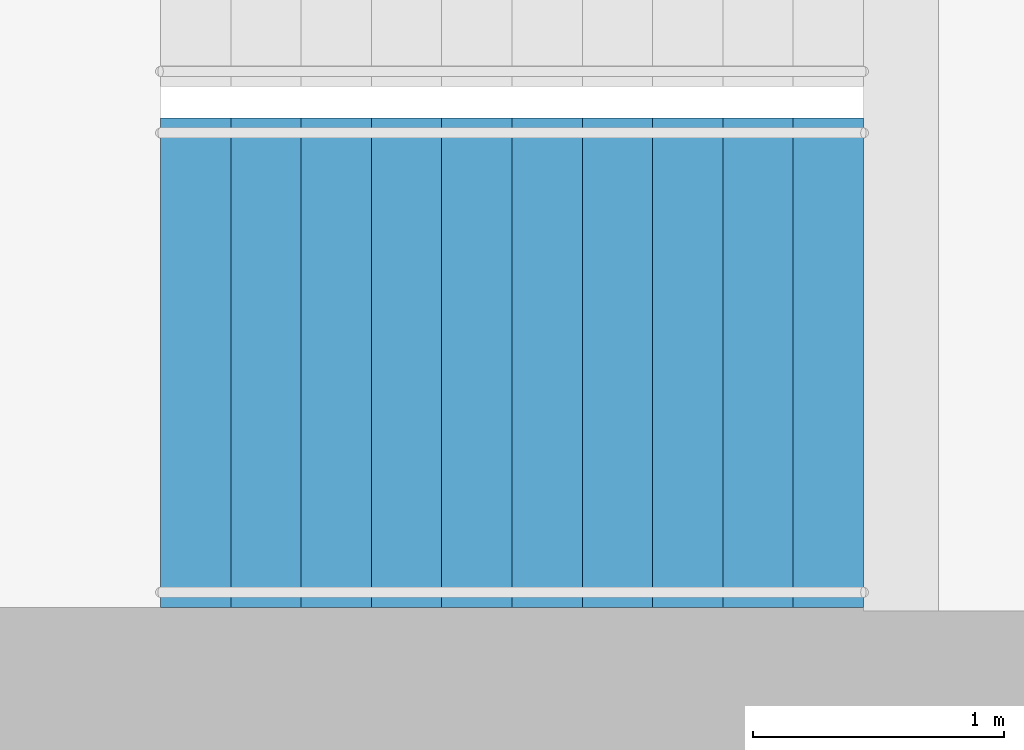
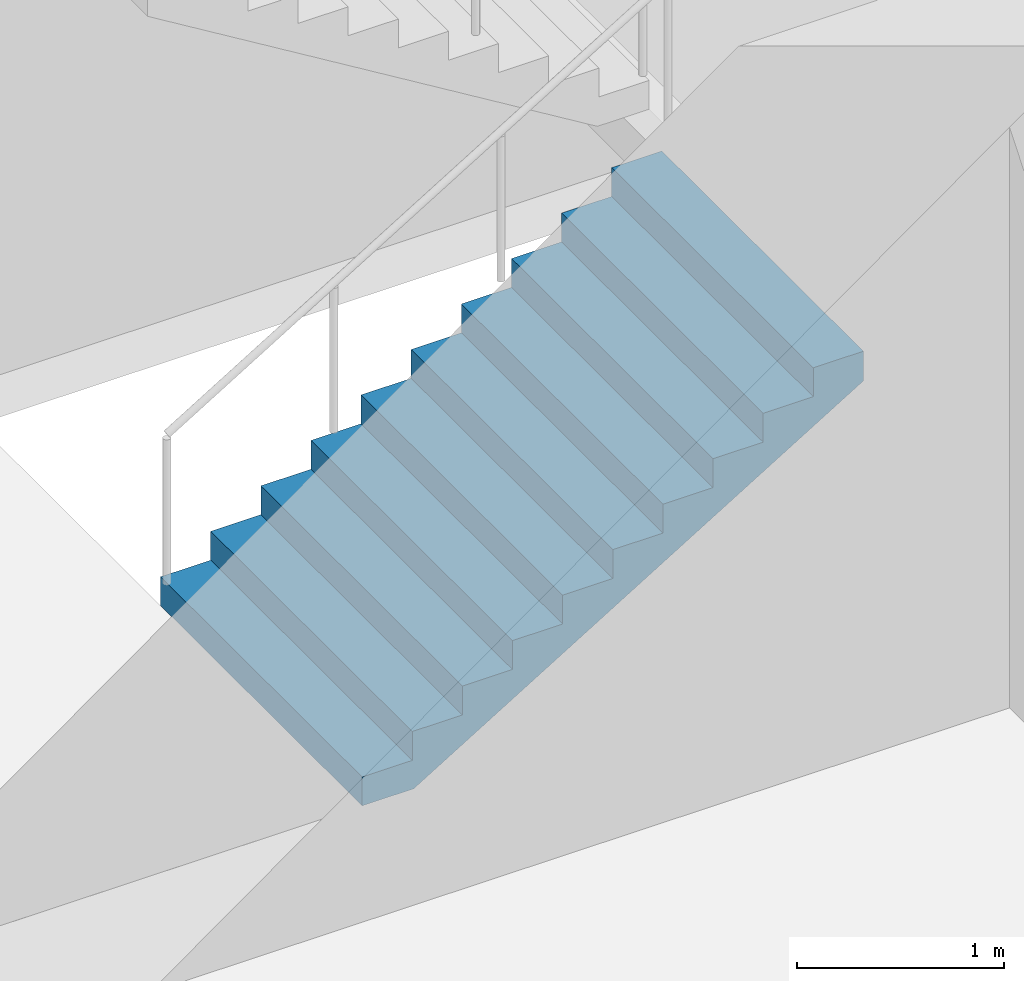
# One storey, part 18 of 22: 1 stair flight, 1 element without a shape of its own.
"""IFC4 building model written with IfcOpenShell, lengths in metres."""

from ifc_helpers import new_model, si_unit, direction, frame, origin, place, context, subcontext, project, spatial, triangles, material, type_object, element, aggregate, save


model = new_model("IFC4")

# Units and contexts
model_context = context("Model", 3, precision=1e-05, world=origin(), true_north=direction((0.0, 1.0)))
body_context = subcontext(model_context, "Body", "Model", "MODEL_VIEW")
ifc_project = project(units=[si_unit("LENGTHUNIT", "METRE"), si_unit("AREAUNIT", "SQUARE_METRE"), si_unit("VOLUMEUNIT", "CUBIC_METRE"), si_unit("PLANEANGLEUNIT", "RADIAN"), si_unit("MASSUNIT", "GRAM", prefix="KILO")], contexts=[model_context])

# Site, building, storey
site_placement = place(None, origin())
site = spatial("IfcSite", under=ifc_project, at=site_placement, CompositionType="ELEMENT")
building_placement = place(site_placement, origin())
building = spatial("IfcBuilding", under=site, at=building_placement, Name="Orbita Commons", CompositionType="ELEMENT")
storey_placement = place(building_placement, frame((0.0, 0.0, 152.35009765625)))
storey = spatial("IfcBuildingStorey", under=building, at=storey_placement, Name="L37", CompositionType="ELEMENT", Elevation=152.35009765625)

# Stair, stair flight
ifc_material_1 = material(Name="Precast concrete C40/50", Category="concrete")
stair_type = type_object("IfcStairType", Name="Exit stair S1 2 flights 11 risers 170", PredefinedType="HALF_TURN_STAIR", material=ifc_material_1)
stair_placement = place(storey_placement, origin())
stair = element("IfcStair", 1, at=stair_placement, inside=storey, type_object=stair_type, Name="Exit stair S1 L37", PredefinedType="HALF_TURN_STAIR")
ifc_material_2 = material(Name="Precast concrete C40/50", Category="concrete")
stair_flight_type = type_object("IfcStairFlightType", Name="Stair flight 11 risers 170 x 280", PredefinedType="STRAIGHT", material=ifc_material_2)
stair_flight_placement = place(storey_placement, frame((20.449951171875, 27.199951171875, 0.0), z_axis=(0.0, 0.0, 1.0), x_axis=(1.0, 0.0, 0.0)))
stair_flight = element("IfcStairFlight", 2, at=stair_flight_placement, type_object=stair_flight_type, Name="S1 flight 1", NumberOfRisers=11, NumberOfTreads=10, PredefinedType="STRAIGHT", RiserHeight=0.170454545, TreadLength=0.28, context=body_context, shape_type="Tessellation", body=[
    triangles([(0.0, 0.974976, 0.0), (0.0, 0.974976, 0.021307), (0.0, 0.81248, 0.021307), (0.0, 0.81248, 0.0), (0.0, 0.649984, 0.021307), (0.0, 0.649984, 0.0), (0.0, 0.487488, 0.021307), (0.0, 0.487488, 0.0), (0.0, 0.324992, 0.021307), (0.0, 0.324992, 0.0), (0.0, 0.162496, 0.021307), (0.0, 0.162496, 0.0), (0.0, 0.0, 0.021307), (0.0, 0.0, 0.0), (0.0, -0.162496, 0.021307), (0.0, -0.162496, 0.0), (0.0, -0.324992, 0.021307), (0.0, -0.324992, 0.0), (0.0, -0.487488, 0.021307), (0.0, -0.487488, 0.0), (0.0, -0.649984, 0.021307), (0.0, -0.649984, 0.0), (0.0, -0.81248, 0.021307), (0.0, -0.81248, 0.0), (0.0, -0.974976, 0.021307), (0.0, -0.974976, 0.0), (0.0, 0.974976, 0.042614), (0.0, 0.81248, 0.042614), (0.0, 0.649984, 0.042614), (0.0, 0.487488, 0.042614), (0.0, 0.324992, 0.042614), (0.0, 0.162496, 0.042614), (0.0, 0.0, 0.042614), (0.0, -0.162496, 0.042614), (0.0, -0.324992, 0.042614), (0.0, -0.487488, 0.042614), (0.0, -0.649984, 0.042614), (0.0, -0.81248, 0.042614), (0.0, -0.974976, 0.042614), (0.0, 0.974976, 0.06392), (0.0, 0.81248, 0.06392), (0.0, 0.649984, 0.06392), (0.0, 0.487488, 0.06392), (0.0, 0.324992, 0.06392), (0.0, 0.162496, 0.06392), (0.0, 0.0, 0.06392), (0.0, -0.162496, 0.06392), (0.0, -0.324992, 0.06392), (0.0, -0.487488, 0.06392), (0.0, -0.649984, 0.06392), (0.0, -0.81248, 0.06392), (0.0, -0.974976, 0.06392), (0.0, 0.974976, 0.085227), (0.0, 0.81248, 0.085227), (0.0, 0.649984, 0.085227), (0.0, 0.487488, 0.085227), (0.0, 0.324992, 0.085227), (0.0, 0.162496, 0.085227), (0.0, 0.0, 0.085227), (0.0, -0.162496, 0.085227), (0.0, -0.324992, 0.085227), (0.0, -0.487488, 0.085227), (0.0, -0.649984, 0.085227), (0.0, -0.81248, 0.085227), (0.0, -0.974976, 0.085227), (0.0, 0.974976, 0.106534), (0.0, 0.81248, 0.106534), (0.0, 0.649984, 0.106534), (0.0, 0.487488, 0.106534), (0.0, 0.324992, 0.106534), (0.0, 0.162496, 0.106534), (0.0, 0.0, 0.106534), (0.0, -0.162496, 0.106534), (0.0, -0.324992, 0.106534), (0.0, -0.487488, 0.106534), (0.0, -0.649984, 0.106534), (0.0, -0.81248, 0.106534), (0.0, -0.974976, 0.106534), (0.0, 0.974976, 0.127841), (0.0, 0.81248, 0.127841), (0.0, 0.649984, 0.127841), (0.0, 0.487488, 0.127841), (0.0, 0.324992, 0.127841), (0.0, 0.162496, 0.127841), (0.0, 0.0, 0.127841), (0.0, -0.162496, 0.127841), (0.0, -0.324992, 0.127841), (0.0, -0.487488, 0.127841), (0.0, -0.649984, 0.127841), (0.0, -0.81248, 0.127841), (0.0, -0.974976, 0.127841), (0.0, 0.974976, 0.149148), (0.0, 0.81248, 0.149148), (0.0, 0.649984, 0.149148), (0.0, 0.487488, 0.149148), (0.0, 0.324992, 0.149148), (0.0, 0.162496, 0.149148), (0.0, 0.0, 0.149148), (0.0, -0.162496, 0.149148), (0.0, -0.324992, 0.149148), (0.0, -0.487488, 0.149148), (0.0, -0.649984, 0.149148), (0.0, -0.81248, 0.149148), (0.0, -0.974976, 0.149148), (0.0, 0.974976, 0.170455), (0.0, 0.81248, 0.170455), (0.0, 0.649984, 0.170455), (0.0, 0.487488, 0.170455), (0.0, 0.324992, 0.170455), (0.0, 0.162496, 0.170455), (0.0, 0.0, 0.170455), (0.0, -0.162496, 0.170455), (0.0, -0.324992, 0.170455), (0.0, -0.487488, 0.170455), (0.0, -0.649984, 0.170455), (0.0, -0.81248, 0.170455), (0.0, -0.974976, 0.170455), (0.28, 0.974976, 0.170455), (0.28, 0.81248, 0.170455), (0.28, 0.649984, 0.170455), (0.28, 0.487488, 0.170455), (0.28, 0.324992, 0.170455), (0.28, 0.162496, 0.170455), (0.28, 0.0, 0.170455), (0.28, -0.162496, 0.170455), (0.28, -0.324992, 0.170455), (0.28, -0.487488, 0.170455), (0.28, -0.649984, 0.170455), (0.28, -0.81248, 0.170455), (0.28, -0.974976, 0.170455), (0.28, 0.974976, 0.340909), (0.28, 0.81248, 0.340909), (0.28, 0.649984, 0.340909), (0.28, 0.487488, 0.340909), (0.28, 0.324992, 0.340909), (0.28, 0.162496, 0.340909), (0.28, 0.0, 0.340909), (0.28, -0.162496, 0.340909), (0.28, -0.324992, 0.340909), (0.28, -0.487488, 0.340909), (0.28, -0.649984, 0.340909), (0.28, -0.81248, 0.340909), (0.28, -0.974976, 0.340909), (0.56, 0.974976, 0.340909), (0.56, 0.81248, 0.340909), (0.56, 0.649984, 0.340909), (0.56, 0.487488, 0.340909), (0.56, 0.324992, 0.340909), (0.56, 0.162496, 0.340909), (0.56, 0.0, 0.340909), (0.56, -0.162496, 0.340909), (0.56, -0.324992, 0.340909), (0.56, -0.487488, 0.340909), (0.56, -0.649984, 0.340909), (0.56, -0.81248, 0.340909), (0.56, -0.974976, 0.340909), (0.56, 0.974976, 0.511364), (0.56, 0.81248, 0.511364), (0.56, 0.649984, 0.511364), (0.56, 0.487488, 0.511364), (0.56, 0.324992, 0.511364), (0.56, 0.162496, 0.511364), (0.56, 0.0, 0.511364), (0.56, -0.162496, 0.511364), (0.56, -0.324992, 0.511364), (0.56, -0.487488, 0.511364), (0.56, -0.649984, 0.511364), (0.56, -0.81248, 0.511364), (0.56, -0.974976, 0.511364), (0.84, 0.974976, 0.511364), (0.84, 0.81248, 0.511364), (0.84, 0.649984, 0.511364), (0.84, 0.487488, 0.511364), (0.84, 0.324992, 0.511364), (0.84, 0.162496, 0.511364), (0.84, 0.0, 0.511364), (0.84, -0.162496, 0.511364), (0.84, -0.324992, 0.511364), (0.84, -0.487488, 0.511364), (0.84, -0.649984, 0.511364), (0.84, -0.81248, 0.511364), (0.84, -0.974976, 0.511364), (0.84, 0.974976, 0.681818), (0.84, 0.81248, 0.681818), (0.84, 0.649984, 0.681818), (0.84, 0.487488, 0.681818), (0.84, 0.324992, 0.681818), (0.84, 0.162496, 0.681818), (0.84, 0.0, 0.681818), (0.84, -0.162496, 0.681818), (0.84, -0.324992, 0.681818), (0.84, -0.487488, 0.681818), (0.84, -0.649984, 0.681818), (0.84, -0.81248, 0.681818), (0.84, -0.974976, 0.681818), (1.12, 0.974976, 0.681818), (1.12, 0.81248, 0.681818), (1.12, 0.649984, 0.681818), (1.12, 0.487488, 0.681818), (1.12, 0.324992, 0.681818), (1.12, 0.162496, 0.681818), (1.12, 0.0, 0.681818), (1.12, -0.162496, 0.681818), (1.12, -0.324992, 0.681818), (1.12, -0.487488, 0.681818), (1.12, -0.649984, 0.681818), (1.12, -0.81248, 0.681818), (1.12, -0.974976, 0.681818), (1.12, 0.974976, 0.852273), (1.12, 0.81248, 0.852273), (1.12, 0.649984, 0.852273), (1.12, 0.487488, 0.852273), (1.12, 0.324992, 0.852273), (1.12, 0.162496, 0.852273), (1.12, 0.0, 0.852273), (1.12, -0.162496, 0.852273), (1.12, -0.324992, 0.852273), (1.12, -0.487488, 0.852273), (1.12, -0.649984, 0.852273), (1.12, -0.81248, 0.852273), (1.12, -0.974976, 0.852273), (1.4, 0.974976, 0.852273), (1.4, 0.81248, 0.852273), (1.4, 0.649984, 0.852273), (1.4, 0.487488, 0.852273), (1.4, 0.324992, 0.852273), (1.4, 0.162496, 0.852273), (1.4, 0.0, 0.852273), (1.4, -0.162496, 0.852273), (1.4, -0.324992, 0.852273), (1.4, -0.487488, 0.852273), (1.4, -0.649984, 0.852273), (1.4, -0.81248, 0.852273), (1.4, -0.974976, 0.852273), (1.4, 0.974976, 1.022727), (1.4, 0.81248, 1.022727), (1.4, 0.649984, 1.022727), (1.4, 0.487488, 1.022727), (1.4, 0.324992, 1.022727), (1.4, 0.162496, 1.022727), (1.4, 0.0, 1.022727), (1.4, -0.162496, 1.022727), (1.4, -0.324992, 1.022727), (1.4, -0.487488, 1.022727), (1.4, -0.649984, 1.022727), (1.4, -0.81248, 1.022727), (1.4, -0.974976, 1.022727), (1.68, 0.974976, 1.022727), (1.68, 0.81248, 1.022727), (1.68, 0.649984, 1.022727), (1.68, 0.487488, 1.022727), (1.68, 0.324992, 1.022727), (1.68, 0.162496, 1.022727), (1.68, 0.0, 1.022727), (1.68, -0.162496, 1.022727), (1.68, -0.324992, 1.022727), (1.68, -0.487488, 1.022727), (1.68, -0.649984, 1.022727), (1.68, -0.81248, 1.022727), (1.68, -0.974976, 1.022727), (1.68, 0.974976, 1.193182), (1.68, 0.81248, 1.193182), (1.68, 0.649984, 1.193182), (1.68, 0.487488, 1.193182), (1.68, 0.324992, 1.193182), (1.68, 0.162496, 1.193182), (1.68, 0.0, 1.193182), (1.68, -0.162496, 1.193182), (1.68, -0.324992, 1.193182), (1.68, -0.487488, 1.193182), (1.68, -0.649984, 1.193182), (1.68, -0.81248, 1.193182), (1.68, -0.974976, 1.193182), (1.96, 0.974976, 1.193182), (1.96, 0.81248, 1.193182), (1.96, 0.649984, 1.193182), (1.96, 0.487488, 1.193182), (1.96, 0.324992, 1.193182), (1.96, 0.162496, 1.193182), (1.96, 0.0, 1.193182), (1.96, -0.162496, 1.193182), (1.96, -0.324992, 1.193182), (1.96, -0.487488, 1.193182), (1.96, -0.649984, 1.193182), (1.96, -0.81248, 1.193182), (1.96, -0.974976, 1.193182), (1.96, 0.974976, 1.363636), (1.96, 0.81248, 1.363636), (1.96, 0.649984, 1.363636), (1.96, 0.487488, 1.363636), (1.96, 0.324992, 1.363636), (1.96, 0.162496, 1.363636), (1.96, 0.0, 1.363636), (1.96, -0.162496, 1.363636), (1.96, -0.324992, 1.363636), (1.96, -0.487488, 1.363636), (1.96, -0.649984, 1.363636), (1.96, -0.81248, 1.363636), (1.96, -0.974976, 1.363636), (2.24, 0.974976, 1.363636), (2.24, 0.81248, 1.363636), (2.24, 0.649984, 1.363636), (2.24, 0.487488, 1.363636), (2.24, 0.324992, 1.363636), (2.24, 0.162496, 1.363636), (2.24, 0.0, 1.363636), (2.24, -0.162496, 1.363636), (2.24, -0.324992, 1.363636), (2.24, -0.487488, 1.363636), (2.24, -0.649984, 1.363636), (2.24, -0.81248, 1.363636), (2.24, -0.974976, 1.363636), (2.24, 0.974976, 1.534091), (2.24, 0.81248, 1.534091), (2.24, 0.649984, 1.534091), (2.24, 0.487488, 1.534091), (2.24, 0.324992, 1.534091), (2.24, 0.162496, 1.534091), (2.24, 0.0, 1.534091), (2.24, -0.162496, 1.534091), (2.24, -0.324992, 1.534091), (2.24, -0.487488, 1.534091), (2.24, -0.649984, 1.534091), (2.24, -0.81248, 1.534091), (2.24, -0.974976, 1.534091), (2.52, 0.974976, 1.534091), (2.52, 0.81248, 1.534091), (2.52, 0.649984, 1.534091), (2.52, 0.487488, 1.534091), (2.52, 0.324992, 1.534091), (2.52, 0.162496, 1.534091), (2.52, 0.0, 1.534091), (2.52, -0.162496, 1.534091), (2.52, -0.324992, 1.534091), (2.52, -0.487488, 1.534091), (2.52, -0.649984, 1.534091), (2.52, -0.81248, 1.534091), (2.52, -0.974976, 1.534091), (2.52, 0.974976, 1.704545), (2.52, 0.81248, 1.704545), (2.52, 0.649984, 1.704545), (2.52, 0.487488, 1.704545), (2.52, 0.324992, 1.704545), (2.52, 0.162496, 1.704545), (2.52, 0.0, 1.704545), (2.52, -0.162496, 1.704545), (2.52, -0.324992, 1.704545), (2.52, -0.487488, 1.704545), (2.52, -0.649984, 1.704545), (2.52, -0.81248, 1.704545), (2.52, -0.974976, 1.704545), (2.8, 0.974976, 1.704545), (2.8, 0.81248, 1.704545), (2.8, 0.649984, 1.704545), (2.8, 0.487488, 1.704545), (2.8, 0.324992, 1.704545), (2.8, 0.162496, 1.704545), (2.8, 0.0, 1.704545), (2.8, -0.162496, 1.704545), (2.8, -0.324992, 1.704545), (2.8, -0.487488, 1.704545), (2.8, -0.649984, 1.704545), (2.8, -0.81248, 1.704545), (2.8, -0.974976, 1.704545), (2.8, 0.974976, 1.682609), (2.8, 0.81248, 1.682609), (2.8, 0.649984, 1.682609), (2.8, 0.487488, 1.682609), (2.8, 0.324992, 1.682609), (2.8, 0.162496, 1.682609), (2.8, 0.0, 1.682609), (2.8, -0.162496, 1.682609), (2.8, -0.324992, 1.682609), (2.8, -0.487488, 1.682609), (2.8, -0.649984, 1.682609), (2.8, -0.81248, 1.682609), (2.8, -0.974976, 1.682609), (2.8, 0.974976, 1.660672), (2.8, 0.81248, 1.660672), (2.8, 0.649984, 1.660672), (2.8, 0.487488, 1.660672), (2.8, 0.324992, 1.660672), (2.8, 0.162496, 1.660672), (2.8, 0.0, 1.660672), (2.8, -0.162496, 1.660672), (2.8, -0.324992, 1.660672), (2.8, -0.487488, 1.660672), (2.8, -0.649984, 1.660672), (2.8, -0.81248, 1.660672), (2.8, -0.974976, 1.660672), (2.8, 0.974976, 1.638735), (2.8, 0.81248, 1.638735), (2.8, 0.649984, 1.638735), (2.8, 0.487488, 1.638735), (2.8, 0.324992, 1.638735), (2.8, 0.162496, 1.638735), (2.8, 0.0, 1.638735), (2.8, -0.162496, 1.638735), (2.8, -0.324992, 1.638735), (2.8, -0.487488, 1.638735), (2.8, -0.649984, 1.638735), (2.8, -0.81248, 1.638735), (2.8, -0.974976, 1.638735), (2.8, 0.974976, 1.616798), (2.8, 0.81248, 1.616798), (2.8, 0.649984, 1.616798), (2.8, 0.487488, 1.616798), (2.8, 0.324992, 1.616798), (2.8, 0.162496, 1.616798), (2.8, 0.0, 1.616798), (2.8, -0.162496, 1.616798), (2.8, -0.324992, 1.616798), (2.8, -0.487488, 1.616798), (2.8, -0.649984, 1.616798), (2.8, -0.81248, 1.616798), (2.8, -0.974976, 1.616798), (2.8, 0.974976, 1.594861), (2.8, 0.81248, 1.594861), (2.8, 0.649984, 1.594861), (2.8, 0.487488, 1.594861), (2.8, 0.324992, 1.594861), (2.8, 0.162496, 1.594861), (2.8, 0.0, 1.594861), (2.8, -0.162496, 1.594861), (2.8, -0.324992, 1.594861), (2.8, -0.487488, 1.594861), (2.8, -0.649984, 1.594861), (2.8, -0.81248, 1.594861), (2.8, -0.974976, 1.594861), (2.8, 0.974976, 1.572925), (2.8, 0.81248, 1.572925), (2.8, 0.649984, 1.572925), (2.8, 0.487488, 1.572925), (2.8, 0.324992, 1.572925), (2.8, 0.162496, 1.572925), (2.8, 0.0, 1.572925), (2.8, -0.162496, 1.572925), (2.8, -0.324992, 1.572925), (2.8, -0.487488, 1.572925), (2.8, -0.649984, 1.572925), (2.8, -0.81248, 1.572925), (2.8, -0.974976, 1.572925), (2.8, 0.974976, 1.550988), (2.8, 0.81248, 1.550988), (2.8, 0.649984, 1.550988), (2.8, 0.487488, 1.550988), (2.8, 0.324992, 1.550988), (2.8, 0.162496, 1.550988), (2.8, 0.0, 1.550988), (2.8, -0.162496, 1.550988), (2.8, -0.324992, 1.550988), (2.8, -0.487488, 1.550988), (2.8, -0.649984, 1.550988), (2.8, -0.81248, 1.550988), (2.8, -0.974976, 1.550988), (2.8, 0.974976, 1.529051), (2.8, 0.81248, 1.529051), (2.8, 0.649984, 1.529051), (2.8, 0.487488, 1.529051), (2.8, 0.324992, 1.529051), (2.8, 0.162496, 1.529051), (2.8, 0.0, 1.529051), (2.8, -0.162496, 1.529051), (2.8, -0.324992, 1.529051), (2.8, -0.487488, 1.529051), (2.8, -0.649984, 1.529051), (2.8, -0.81248, 1.529051), (2.8, -0.974976, 1.529051), (0.288279, 0.974976, 0.0), (0.288279, 0.81248, 0.0), (0.288279, 0.649984, 0.0), (0.288279, 0.487488, 0.0), (0.288279, 0.324992, 0.0), (0.288279, 0.162496, 0.0), (0.288279, 0.0, 0.0), (0.288279, -0.162496, 0.0), (0.288279, -0.324992, 0.0), (0.288279, -0.487488, 0.0), (0.288279, -0.649984, 0.0), (0.288279, -0.81248, 0.0), (0.288279, -0.974976, 0.0)], [[3, 2, 1], [4, 3, 1], [5, 3, 4], [6, 5, 4], [7, 5, 6], [8, 7, 6], [9, 7, 8], [10, 9, 8], [11, 9, 10], [12, 11, 10], [13, 11, 12], [14, 13, 12], [15, 13, 14], [16, 15, 14], [17, 15, 16], [18, 17, 16], [19, 17, 18], [20, 19, 18], [21, 19, 20], [22, 21, 20], [23, 21, 22], [24, 23, 22], [25, 23, 24], [26, 25, 24], [28, 27, 2], [3, 28, 2], [29, 28, 3], [5, 29, 3], [30, 29, 5], [7, 30, 5], [31, 30, 7], [9, 31, 7], [32, 31, 9], [11, 32, 9], [33, 32, 11], [13, 33, 11], [34, 33, 13], [15, 34, 13], [35, 34, 15], [17, 35, 15], [36, 35, 17], [19, 36, 17], [37, 36, 19], [21, 37, 19], [38, 37, 21], [23, 38, 21], [39, 38, 23], [25, 39, 23], [41, 40, 27], [28, 41, 27], [42, 41, 28], [29, 42, 28], [43, 42, 29], [30, 43, 29], [44, 43, 30], [31, 44, 30], [45, 44, 31], [32, 45, 31], [46, 45, 32], [33, 46, 32], [47, 46, 33], [34, 47, 33], [48, 47, 34], [35, 48, 34], [49, 48, 35], [36, 49, 35], [50, 49, 36], [37, 50, 36], [51, 50, 37], [38, 51, 37], [52, 51, 38], [39, 52, 38], [54, 53, 40], [41, 54, 40], [55, 54, 41], [42, 55, 41], [56, 55, 42], [43, 56, 42], [57, 56, 43], [44, 57, 43], [58, 57, 44], [45, 58, 44], [59, 58, 45], [46, 59, 45], [60, 59, 46], [47, 60, 46], [61, 60, 47], [48, 61, 47], [62, 61, 48], [49, 62, 48], [63, 62, 49], [50, 63, 49], [64, 63, 50], [51, 64, 50], [65, 64, 51], [52, 65, 51], [67, 66, 53], [54, 67, 53], [68, 67, 54], [55, 68, 54], [69, 68, 55], [56, 69, 55], [70, 69, 56], [57, 70, 56], [71, 70, 57], [58, 71, 57], [72, 71, 58], [59, 72, 58], [73, 72, 59], [60, 73, 59], [74, 73, 60], [61, 74, 60], [75, 74, 61], [62, 75, 61], [76, 75, 62], [63, 76, 62], [77, 76, 63], [64, 77, 63], [78, 77, 64], [65, 78, 64], [80, 79, 66], [67, 80, 66], [81, 80, 67], [68, 81, 67], [82, 81, 68], [69, 82, 68], [83, 82, 69], [70, 83, 69], [84, 83, 70], [71, 84, 70], [85, 84, 71], [72, 85, 71], [86, 85, 72], [73, 86, 72], [87, 86, 73], [74, 87, 73], [88, 87, 74], [75, 88, 74], [89, 88, 75], [76, 89, 75], [90, 89, 76], [77, 90, 76], [91, 90, 77], [78, 91, 77], [93, 92, 79], [80, 93, 79], [94, 93, 80], [81, 94, 80], [95, 94, 81], [82, 95, 81], [96, 95, 82], [83, 96, 82], [97, 96, 83], [84, 97, 83], [98, 97, 84], [85, 98, 84], [99, 98, 85], [86, 99, 85], [100, 99, 86], [87, 100, 86], [101, 100, 87], [88, 101, 87], [102, 101, 88], [89, 102, 88], [103, 102, 89], [90, 103, 89], [104, 103, 90], [91, 104, 90], [106, 105, 92], [93, 106, 92], [107, 106, 93], [94, 107, 93], [108, 107, 94], [95, 108, 94], [109, 108, 95], [96, 109, 95], [110, 109, 96], [97, 110, 96], [111, 110, 97], [98, 111, 97], [112, 111, 98], [99, 112, 98], [113, 112, 99], [100, 113, 99], [114, 113, 100], [101, 114, 100], [115, 114, 101], [102, 115, 101], [116, 115, 102], [103, 116, 102], [117, 116, 103], [104, 117, 103], [119, 118, 105], [106, 119, 105], [120, 119, 106], [107, 120, 106], [121, 120, 107], [108, 121, 107], [122, 121, 108], [109, 122, 108], [123, 122, 109], [110, 123, 109], [124, 123, 110], [111, 124, 110], [125, 124, 111], [112, 125, 111], [126, 125, 112], [113, 126, 112], [127, 126, 113], [114, 127, 113], [128, 127, 114], [115, 128, 114], [129, 128, 115], [116, 129, 115], [130, 129, 116], [117, 130, 116], [132, 131, 118], [119, 132, 118], [133, 132, 119], [120, 133, 119], [134, 133, 120], [121, 134, 120], [135, 134, 121], [122, 135, 121], [136, 135, 122], [123, 136, 122], [137, 136, 123], [124, 137, 123], [138, 137, 124], [125, 138, 124], [139, 138, 125], [126, 139, 125], [140, 139, 126], [127, 140, 126], [141, 140, 127], [128, 141, 127], [142, 141, 128], [129, 142, 128], [143, 142, 129], [130, 143, 129], [145, 144, 131], [132, 145, 131], [146, 145, 132], [133, 146, 132], [147, 146, 133], [134, 147, 133], [148, 147, 134], [135, 148, 134], [149, 148, 135], [136, 149, 135], [150, 149, 136], [137, 150, 136], [151, 150, 137], [138, 151, 137], [152, 151, 138], [139, 152, 138], [153, 152, 139], [140, 153, 139], [154, 153, 140], [141, 154, 140], [155, 154, 141], [142, 155, 141], [156, 155, 142], [143, 156, 142], [158, 157, 144], [145, 158, 144], [159, 158, 145], [146, 159, 145], [160, 159, 146], [147, 160, 146], [161, 160, 147], [148, 161, 147], [162, 161, 148], [149, 162, 148], [163, 162, 149], [150, 163, 149], [164, 163, 150], [151, 164, 150], [165, 164, 151], [152, 165, 151], [166, 165, 152], [153, 166, 152], [167, 166, 153], [154, 167, 153], [168, 167, 154], [155, 168, 154], [169, 168, 155], [156, 169, 155], [171, 170, 157], [158, 171, 157], [172, 171, 158], [159, 172, 158], [173, 172, 159], [160, 173, 159], [174, 173, 160], [161, 174, 160], [175, 174, 161], [162, 175, 161], [176, 175, 162], [163, 176, 162], [177, 176, 163], [164, 177, 163], [178, 177, 164], [165, 178, 164], [179, 178, 165], [166, 179, 165], [180, 179, 166], [167, 180, 166], [181, 180, 167], [168, 181, 167], [182, 181, 168], [169, 182, 168], [184, 183, 170], [171, 184, 170], [185, 184, 171], [172, 185, 171], [186, 185, 172], [173, 186, 172], [187, 186, 173], [174, 187, 173], [188, 187, 174], [175, 188, 174], [189, 188, 175], [176, 189, 175], [190, 189, 176], [177, 190, 176], [191, 190, 177], [178, 191, 177], [192, 191, 178], [179, 192, 178], [193, 192, 179], [180, 193, 179], [194, 193, 180], [181, 194, 180], [195, 194, 181], [182, 195, 181], [197, 196, 183], [184, 197, 183], [198, 197, 184], [185, 198, 184], [199, 198, 185], [186, 199, 185], [200, 199, 186], [187, 200, 186], [201, 200, 187], [188, 201, 187], [202, 201, 188], [189, 202, 188], [203, 202, 189], [190, 203, 189], [204, 203, 190], [191, 204, 190], [205, 204, 191], [192, 205, 191], [206, 205, 192], [193, 206, 192], [207, 206, 193], [194, 207, 193], [208, 207, 194], [195, 208, 194], [210, 209, 196], [197, 210, 196], [211, 210, 197], [198, 211, 197], [212, 211, 198], [199, 212, 198], [213, 212, 199], [200, 213, 199], [214, 213, 200], [201, 214, 200], [215, 214, 201], [202, 215, 201], [216, 215, 202], [203, 216, 202], [217, 216, 203], [204, 217, 203], [218, 217, 204], [205, 218, 204], [219, 218, 205], [206, 219, 205], [220, 219, 206], [207, 220, 206], [221, 220, 207], [208, 221, 207], [223, 222, 209], [210, 223, 209], [224, 223, 210], [211, 224, 210], [225, 224, 211], [212, 225, 211], [226, 225, 212], [213, 226, 212], [227, 226, 213], [214, 227, 213], [228, 227, 214], [215, 228, 214], [229, 228, 215], [216, 229, 215], [230, 229, 216], [217, 230, 216], [231, 230, 217], [218, 231, 217], [232, 231, 218], [219, 232, 218], [233, 232, 219], [220, 233, 219], [234, 233, 220], [221, 234, 220], [236, 235, 222], [223, 236, 222], [237, 236, 223], [224, 237, 223], [238, 237, 224], [225, 238, 224], [239, 238, 225], [226, 239, 225], [240, 239, 226], [227, 240, 226], [241, 240, 227], [228, 241, 227], [242, 241, 228], [229, 242, 228], [243, 242, 229], [230, 243, 229], [244, 243, 230], [231, 244, 230], [245, 244, 231], [232, 245, 231], [246, 245, 232], [233, 246, 232], [247, 246, 233], [234, 247, 233], [249, 248, 235], [236, 249, 235], [250, 249, 236], [237, 250, 236], [251, 250, 237], [238, 251, 237], [252, 251, 238], [239, 252, 238], [253, 252, 239], [240, 253, 239], [254, 253, 240], [241, 254, 240], [255, 254, 241], [242, 255, 241], [256, 255, 242], [243, 256, 242], [257, 256, 243], [244, 257, 243], [258, 257, 244], [245, 258, 244], [259, 258, 245], [246, 259, 245], [260, 259, 246], [247, 260, 246], [262, 261, 248], [249, 262, 248], [263, 262, 249], [250, 263, 249], [264, 263, 250], [251, 264, 250], [265, 264, 251], [252, 265, 251], [266, 265, 252], [253, 266, 252], [267, 266, 253], [254, 267, 253], [268, 267, 254], [255, 268, 254], [269, 268, 255], [256, 269, 255], [270, 269, 256], [257, 270, 256], [271, 270, 257], [258, 271, 257], [272, 271, 258], [259, 272, 258], [273, 272, 259], [260, 273, 259], [275, 274, 261], [262, 275, 261], [276, 275, 262], [263, 276, 262], [277, 276, 263], [264, 277, 263], [278, 277, 264], [265, 278, 264], [279, 278, 265], [266, 279, 265], [280, 279, 266], [267, 280, 266], [281, 280, 267], [268, 281, 267], [282, 281, 268], [269, 282, 268], [283, 282, 269], [270, 283, 269], [284, 283, 270], [271, 284, 270], [285, 284, 271], [272, 285, 271], [286, 285, 272], [273, 286, 272], [288, 287, 274], [275, 288, 274], [289, 288, 275], [276, 289, 275], [290, 289, 276], [277, 290, 276], [291, 290, 277], [278, 291, 277], [292, 291, 278], [279, 292, 278], [293, 292, 279], [280, 293, 279], [294, 293, 280], [281, 294, 280], [295, 294, 281], [282, 295, 281], [296, 295, 282], [283, 296, 282], [297, 296, 283], [284, 297, 283], [298, 297, 284], [285, 298, 284], [299, 298, 285], [286, 299, 285], [301, 300, 287], [288, 301, 287], [302, 301, 288], [289, 302, 288], [303, 302, 289], [290, 303, 289], [304, 303, 290], [291, 304, 290], [305, 304, 291], [292, 305, 291], [306, 305, 292], [293, 306, 292], [307, 306, 293], [294, 307, 293], [308, 307, 294], [295, 308, 294], [309, 308, 295], [296, 309, 295], [310, 309, 296], [297, 310, 296], [311, 310, 297], [298, 311, 297], [312, 311, 298], [299, 312, 298], [314, 313, 300], [301, 314, 300], [315, 314, 301], [302, 315, 301], [316, 315, 302], [303, 316, 302], [317, 316, 303], [304, 317, 303], [318, 317, 304], [305, 318, 304], [319, 318, 305], [306, 319, 305], [320, 319, 306], [307, 320, 306], [321, 320, 307], [308, 321, 307], [322, 321, 308], [309, 322, 308], [323, 322, 309], [310, 323, 309], [324, 323, 310], [311, 324, 310], [325, 324, 311], [312, 325, 311], [327, 326, 313], [314, 327, 313], [328, 327, 314], [315, 328, 314], [329, 328, 315], [316, 329, 315], [330, 329, 316], [317, 330, 316], [331, 330, 317], [318, 331, 317], [332, 331, 318], [319, 332, 318], [333, 332, 319], [320, 333, 319], [334, 333, 320], [321, 334, 320], [335, 334, 321], [322, 335, 321], [336, 335, 322], [323, 336, 322], [337, 336, 323], [324, 337, 323], [338, 337, 324], [325, 338, 324], [340, 339, 326], [327, 340, 326], [341, 340, 327], [328, 341, 327], [342, 341, 328], [329, 342, 328], [343, 342, 329], [330, 343, 329], [344, 343, 330], [331, 344, 330], [345, 344, 331], [332, 345, 331], [346, 345, 332], [333, 346, 332], [347, 346, 333], [334, 347, 333], [348, 347, 334], [335, 348, 334], [349, 348, 335], [336, 349, 335], [350, 349, 336], [337, 350, 336], [351, 350, 337], [338, 351, 337], [353, 352, 339], [340, 353, 339], [354, 353, 340], [341, 354, 340], [355, 354, 341], [342, 355, 341], [356, 355, 342], [343, 356, 342], [357, 356, 343], [344, 357, 343], [358, 357, 344], [345, 358, 344], [359, 358, 345], [346, 359, 345], [360, 359, 346], [347, 360, 346], [361, 360, 347], [348, 361, 347], [362, 361, 348], [349, 362, 348], [363, 362, 349], [350, 363, 349], [364, 363, 350], [351, 364, 350], [366, 365, 352], [353, 366, 352], [367, 366, 353], [354, 367, 353], [368, 367, 354], [355, 368, 354], [369, 368, 355], [356, 369, 355], [370, 369, 356], [357, 370, 356], [371, 370, 357], [358, 371, 357], [372, 371, 358], [359, 372, 358], [373, 372, 359], [360, 373, 359], [374, 373, 360], [361, 374, 360], [375, 374, 361], [362, 375, 361], [376, 375, 362], [363, 376, 362], [377, 376, 363], [364, 377, 363], [379, 378, 365], [366, 379, 365], [380, 379, 366], [367, 380, 366], [381, 380, 367], [368, 381, 367], [382, 381, 368], [369, 382, 368], [383, 382, 369], [370, 383, 369], [384, 383, 370], [371, 384, 370], [385, 384, 371], [372, 385, 371], [386, 385, 372], [373, 386, 372], [387, 386, 373], [374, 387, 373], [388, 387, 374], [375, 388, 374], [389, 388, 375], [376, 389, 375], [390, 389, 376], [377, 390, 376], [392, 391, 378], [379, 392, 378], [393, 392, 379], [380, 393, 379], [394, 393, 380], [381, 394, 380], [395, 394, 381], [382, 395, 381], [396, 395, 382], [383, 396, 382], [397, 396, 383], [384, 397, 383], [398, 397, 384], [385, 398, 384], [399, 398, 385], [386, 399, 385], [400, 399, 386], [387, 400, 386], [401, 400, 387], [388, 401, 387], [402, 401, 388], [389, 402, 388], [403, 402, 389], [390, 403, 389], [405, 404, 391], [392, 405, 391], [406, 405, 392], [393, 406, 392], [407, 406, 393], [394, 407, 393], [408, 407, 394], [395, 408, 394], [409, 408, 395], [396, 409, 395], [410, 409, 396], [397, 410, 396], [411, 410, 397], [398, 411, 397], [412, 411, 398], [399, 412, 398], [413, 412, 399], [400, 413, 399], [414, 413, 400], [401, 414, 400], [415, 414, 401], [402, 415, 401], [416, 415, 402], [403, 416, 402], [418, 417, 404], [405, 418, 404], [419, 418, 405], [406, 419, 405], [420, 419, 406], [407, 420, 406], [421, 420, 407], [408, 421, 407], [422, 421, 408], [409, 422, 408], [423, 422, 409], [410, 423, 409], [424, 423, 410], [411, 424, 410], [425, 424, 411], [412, 425, 411], [426, 425, 412], [413, 426, 412], [427, 426, 413], [414, 427, 413], [428, 427, 414], [415, 428, 414], [429, 428, 415], [416, 429, 415], [431, 430, 417], [418, 431, 417], [432, 431, 418], [419, 432, 418], [433, 432, 419], [420, 433, 419], [434, 433, 420], [421, 434, 420], [435, 434, 421], [422, 435, 421], [436, 435, 422], [423, 436, 422], [437, 436, 423], [424, 437, 423], [438, 437, 424], [425, 438, 424], [439, 438, 425], [426, 439, 425], [440, 439, 426], [427, 440, 426], [441, 440, 427], [428, 441, 427], [442, 441, 428], [429, 442, 428], [444, 443, 430], [431, 444, 430], [445, 444, 431], [432, 445, 431], [446, 445, 432], [433, 446, 432], [447, 446, 433], [434, 447, 433], [448, 447, 434], [435, 448, 434], [449, 448, 435], [436, 449, 435], [450, 449, 436], [437, 450, 436], [451, 450, 437], [438, 451, 437], [452, 451, 438], [439, 452, 438], [453, 452, 439], [440, 453, 439], [454, 453, 440], [441, 454, 440], [455, 454, 441], [442, 455, 441], [457, 456, 443], [444, 457, 443], [458, 457, 444], [445, 458, 444], [459, 458, 445], [446, 459, 445], [460, 459, 446], [447, 460, 446], [461, 460, 447], [448, 461, 447], [462, 461, 448], [449, 462, 448], [463, 462, 449], [450, 463, 449], [464, 463, 450], [451, 464, 450], [465, 464, 451], [452, 465, 451], [466, 465, 452], [453, 466, 452], [467, 466, 453], [454, 467, 453], [468, 467, 454], [455, 468, 454], [470, 469, 456], [457, 470, 456], [471, 470, 457], [458, 471, 457], [472, 471, 458], [459, 472, 458], [473, 472, 459], [460, 473, 459], [474, 473, 460], [461, 474, 460], [475, 474, 461], [462, 475, 461], [476, 475, 462], [463, 476, 462], [477, 476, 463], [464, 477, 463], [478, 477, 464], [465, 478, 464], [479, 478, 465], [466, 479, 465], [480, 479, 466], [467, 480, 466], [481, 480, 467], [468, 481, 467], [4, 1, 469], [470, 4, 469], [6, 4, 470], [471, 6, 470], [8, 6, 471], [472, 8, 471], [10, 8, 472], [473, 10, 472], [12, 10, 473], [474, 12, 473], [14, 12, 474], [475, 14, 474], [16, 14, 475], [476, 16, 475], [18, 16, 476], [477, 18, 476], [20, 18, 477], [478, 20, 477], [22, 20, 478], [479, 22, 478], [24, 22, 479], [480, 24, 479], [26, 24, 480], [481, 26, 480], [456, 469, 1], [26, 481, 468], [443, 456, 1], [26, 468, 455], [430, 443, 1], [26, 455, 442], [417, 430, 1], [26, 442, 429], [404, 417, 1], [26, 429, 416], [391, 404, 1], [26, 416, 403], [378, 391, 1], [26, 403, 390], [365, 378, 1], [26, 390, 377], [339, 352, 365], [377, 364, 351], [326, 339, 365], [377, 351, 338], [300, 313, 326], [338, 325, 312], [300, 326, 365], [377, 338, 312], [274, 287, 300], [312, 299, 286], [274, 300, 365], [377, 312, 286], [248, 261, 274], [286, 273, 260], [248, 274, 365], [377, 286, 260], [222, 235, 248], [260, 247, 234], [222, 248, 365], [377, 260, 234], [196, 209, 222], [234, 221, 208], [196, 222, 365], [377, 234, 208], [170, 183, 196], [208, 195, 182], [170, 196, 365], [377, 208, 182], [144, 157, 170], [182, 169, 156], [144, 170, 365], [377, 182, 156], [118, 131, 144], [156, 143, 130], [118, 144, 365], [377, 156, 130], [118, 365, 1], [26, 377, 130], [92, 105, 118], [130, 117, 104], [79, 92, 118], [130, 104, 91], [66, 79, 118], [130, 91, 78], [53, 66, 118], [130, 78, 65], [40, 53, 118], [130, 65, 52], [27, 40, 118], [130, 52, 39], [2, 27, 118], [130, 39, 25], [1, 2, 118], [130, 25, 26]], closed=True),
])
aggregate(stair, [stair_flight])

save(model, "model.ifc")
